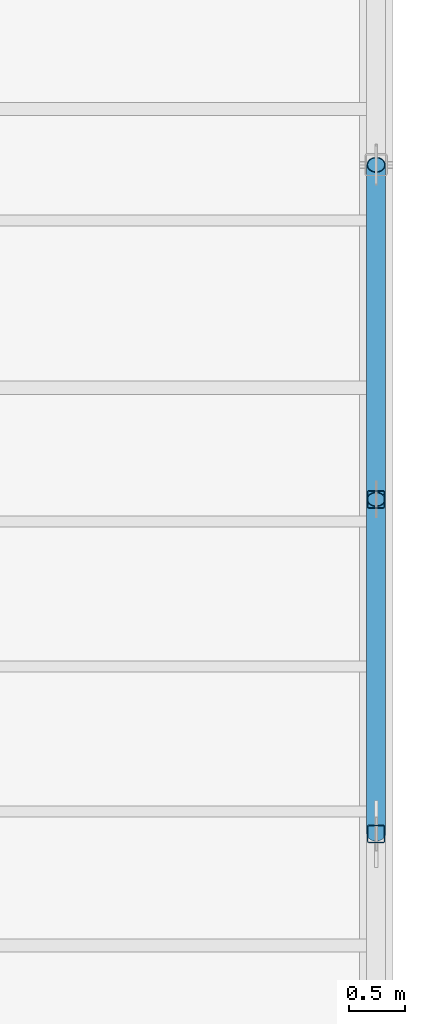
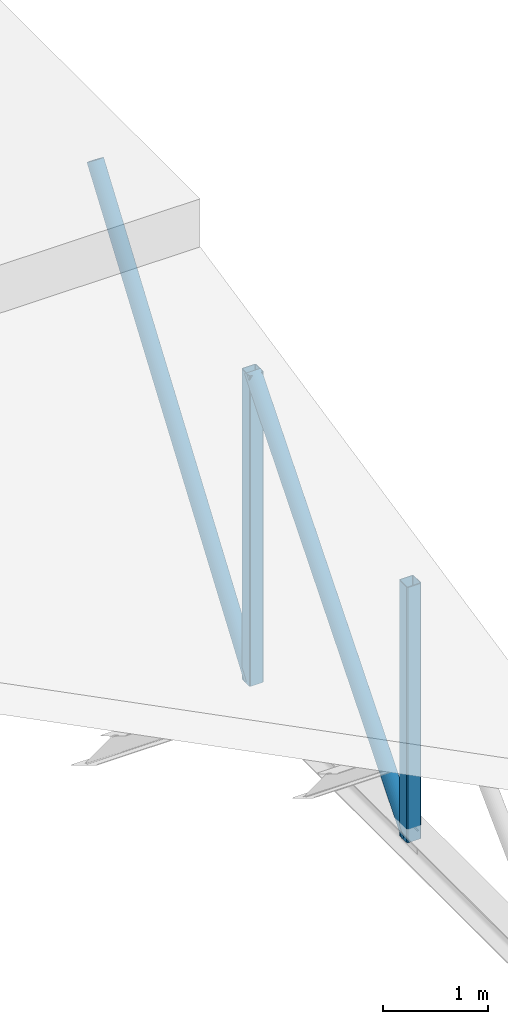
# One storey, part 27 of 43: 4 members.
"""IFC4 building model written with IfcOpenShell, lengths in metres."""

from ifc_helpers import new_model, si_unit, direction, frame, origin, origin_2d, place, context, subcontext, project, spatial, hollow_rectangle, hollow_circle, extrude, material, material_profile, profile_set, type_object, element, save


model = new_model("IFC4")

# Units and contexts
model_context = context("Model", 3, precision=1e-05, world=origin(), true_north=direction((0.0, 1.0)))
body_context = subcontext(model_context, "Body", "Model", "MODEL_VIEW")
ifc_project = project(units=[si_unit("LENGTHUNIT", "METRE"), si_unit("AREAUNIT", "SQUARE_METRE"), si_unit("VOLUMEUNIT", "CUBIC_METRE"), si_unit("PLANEANGLEUNIT", "RADIAN"), si_unit("MASSUNIT", "GRAM", prefix="KILO")], contexts=[model_context])

# Site, building, storey
site_placement = place(None, origin())
site = spatial("IfcSite", under=ifc_project, at=site_placement, CompositionType="ELEMENT")
building_placement = place(site_placement, origin())
building = spatial("IfcBuilding", under=site, at=building_placement, Name="Serraforn Aerial Cableway Station", CompositionType="ELEMENT")
storey_placement = place(building_placement, frame((0.0, 0.0, 18.300048828125)))
storey = spatial("IfcBuildingStorey", under=building, at=storey_placement, Name="RF", CompositionType="ELEMENT", Elevation=18.300048828125)

# Members
ifc_material = material(Name="Steel S355J2", Category="steel")
ifc_material_profile_1 = material_profile(ifc_material, hollow_circle(Radius=0.084228515625, WallThickness=0.008056640625, at=origin_2d()), Name="CHS 168.3x8.0")
ifc_profile_set_1 = profile_set([ifc_material_profile_1], Name="Steel S355J2")
member_type_1 = type_object("IfcMemberType", Name="MEM-DG-CHS168", PredefinedType="BRACE", material=ifc_profile_set_1)
member_1_placement = place(storey_placement, frame((90.60009765625, 24.0, -1.35009765625), z_axis=(0.0, 0.641405529785, 0.767202024477), x_axis=(-1.0, 0.0, 0.0)))
element("IfcMember", 1, at=member_1_placement, inside=storey, type_object=member_type_1, Name="Roof Truss TR-08 Diagonal 3", PredefinedType="BRACE", context=body_context, shape_type="SweptSolid", body=[
    extrude(hollow_circle(Radius=0.084228515625, WallThickness=0.008056640625, at=origin_2d()), origin(), (0.0, 0.0, 1.0), 4.67724609375),
])
member_2_placement = place(storey_placement, frame((90.60009765625, 27.0, -1.35009765625), z_axis=(0.0, 0.578856146563, 0.815429679118), x_axis=(-1.0, 0.0, 0.0)))
element("IfcMember", 2, at=member_2_placement, inside=storey, type_object=member_type_1, Name="Roof Truss TR-08 Diagonal 4", PredefinedType="BRACE", context=body_context, shape_type="SweptSolid", body=[
    extrude(hollow_circle(Radius=0.084228515625, WallThickness=0.008056640625, at=origin_2d()), origin(), (0.0, 0.0, 1.0), 5.1826171875),
])
ifc_material_profile_2 = material_profile(ifc_material, hollow_rectangle(XDim=0.159912109375, YDim=0.159912109375, WallThickness=0.008056640625, InnerFilletRadius=0.008056640625, OuterFilletRadius=0.01611328125, at=origin_2d()), Name="SHS 160x160x8.0")
ifc_profile_set_2 = profile_set([ifc_material_profile_2], Name="Steel S355J2")
member_type_2 = type_object("IfcMemberType", Name="MEM-VP-SHS160", PredefinedType="STRUT", material=ifc_profile_set_2)
member_3_placement = place(storey_placement, frame((90.60009765625, 24.0, -1.360107421875), z_axis=(0.0, 0.0, 1.0), x_axis=(1.0, 0.0, 0.0)))
element("IfcMember", 3, at=member_3_placement, inside=storey, type_object=member_type_2, Name="Roof Truss TR-08 Vertical Post 3", PredefinedType="STRUT", context=body_context, shape_type="SweptSolid", body=[
    extrude(hollow_rectangle(XDim=0.159912109375, YDim=0.159912109375, WallThickness=0.008056640625, InnerFilletRadius=0.008056640625, OuterFilletRadius=0.01611328125, at=origin_2d()), origin(), (0.0, 0.0, 1.0), 2.970703125),
])
member_4_placement = place(storey_placement, frame((90.60009765625, 27.0, -1.360107421875), z_axis=(0.0, 0.0, 1.0), x_axis=(1.0, 0.0, 0.0)))
element("IfcMember", 4, at=member_4_placement, inside=storey, type_object=member_type_2, Name="Roof Truss TR-08 Vertical Post 4", PredefinedType="STRUT", context=body_context, shape_type="SweptSolid", body=[
    extrude(hollow_rectangle(XDim=0.159912109375, YDim=0.159912109375, WallThickness=0.008056640625, InnerFilletRadius=0.008056640625, OuterFilletRadius=0.01611328125, at=origin_2d()), origin(), (0.0, 0.0, 1.0), 3.6083984375),
])

save(model, "model.ifc")
